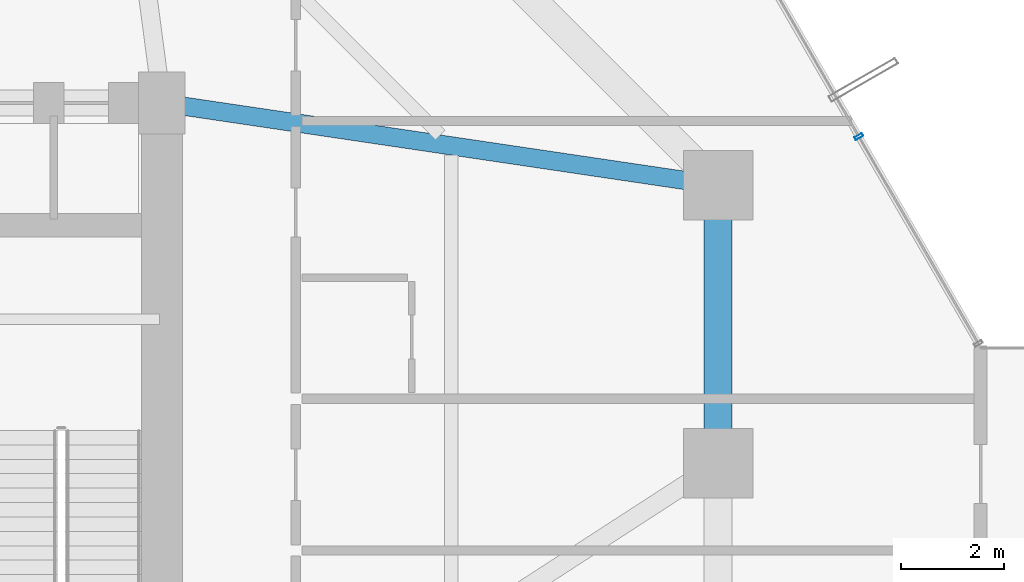
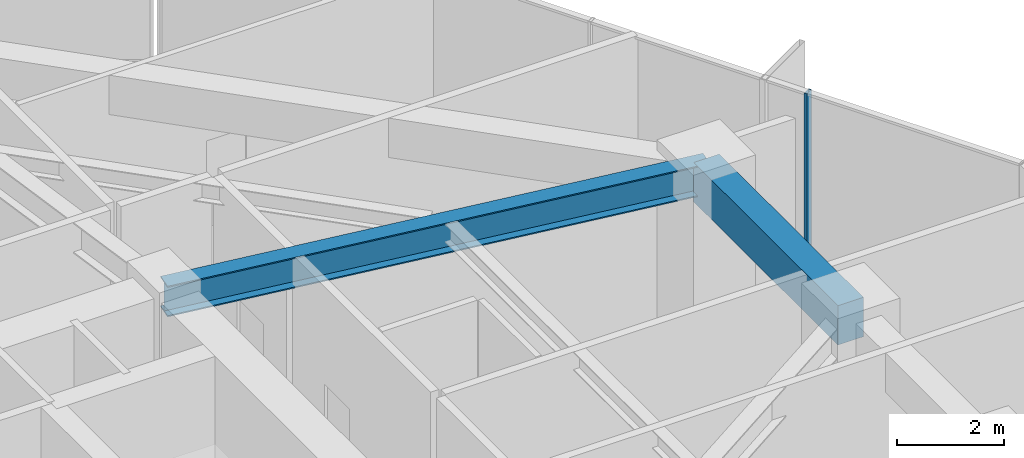
# One storey, part 20 of 39: 2 beams, 1 member, 1 element without a shape of its own.
"""IFC4 building model written with IfcOpenShell, lengths in metres."""

from ifc_helpers import new_model, si_unit, direction, frame, origin, origin_2d, place, context, subcontext, project, spatial, rectangle, hollow_rectangle, i_section, extrude, source, transform, mapped, material, layer, layer_set, material_profile, profile_set, type_object, element, aggregate, save


model = new_model("IFC4")

# Units and contexts
model_context = context("Model", 3, precision=1e-05, world=origin(), true_north=direction((0.0, 1.0)))
body_context = subcontext(model_context, "Body", "Model", "MODEL_VIEW")
ifc_project = project(units=[si_unit("LENGTHUNIT", "METRE"), si_unit("AREAUNIT", "SQUARE_METRE"), si_unit("VOLUMEUNIT", "CUBIC_METRE"), si_unit("PLANEANGLEUNIT", "RADIAN"), si_unit("MASSUNIT", "GRAM", prefix="KILO")], contexts=[model_context])

# Site, building, storey
site_placement = place(None, origin())
site = spatial("IfcSite", under=ifc_project, at=site_placement, CompositionType="ELEMENT")
building_placement = place(site_placement, origin())
building = spatial("IfcBuilding", under=site, at=building_placement, Name="Veraguas Prism Commons", CompositionType="ELEMENT")
storey_placement = place(building_placement, frame((0.0, 0.0, 22.800048828125)))
storey = spatial("IfcBuildingStorey", under=building, at=storey_placement, Name="L05", CompositionType="ELEMENT", Elevation=22.800048828125)

# Beams
ifc_material_1 = material(Name="Concrete C50/60", Category="concrete")
ifc_material_profile_1 = material_profile(ifc_material_1, rectangle(XDim=0.550048828125, YDim=0.89990234375, at=origin_2d()), Name="RC550X900")
ifc_profile_set_1 = profile_set([ifc_material_profile_1], Name="Concrete C50/60")
beam_type_1 = type_object("IfcBeamType", Name="Perimeter Spandrel Lower RC 550x900", PredefinedType="SPANDREL", material=ifc_profile_set_1)
beam_1_placement = place(storey_placement, frame((41.60009765625, 24.0, 3.800048828125), z_axis=(0.0, 1.0, 0.0), x_axis=(-1.0, 0.0, 0.0)))
element("IfcBeam", 1, at=beam_1_placement, inside=storey, type_object=beam_type_1, Name="Perimeter Spandrel Beam L05-SP02", PredefinedType="SPANDREL", context=body_context, shape_type="SweptSolid", body=[
    extrude(rectangle(XDim=0.550048828125, YDim=0.89990234375, at=origin_2d()), origin(), (0.0, 0.0, 1.0), 5.39990234375),
])
ifc_material_2 = material(Name="Steel ASTM A992 Grade 50", Category="steel")
ifc_material_profile_2 = material_profile(ifc_material_2, i_section(OverallWidth=0.35595703125, OverallDepth=0.700927734375, WebThickness=0.016845703125, FlangeThickness=0.02734375, at=origin_2d()), Name="W690X240")
ifc_profile_set_2 = profile_set([ifc_material_profile_2], Name="Steel ASTM A992 Grade 50")
beam_type_2 = type_object("IfcBeamType", Name="Zone 1 Radial Girder W690x240", PredefinedType="BEAM", material=ifc_profile_set_2)
beam_2_placement = place(storey_placement, frame((41.60009765625, 29.39990234375, 3.8994140625), z_axis=(-0.989202261707, 0.146556765224, 0.0), x_axis=(-0.146556765224, -0.989202261707, 0.0)))
element("IfcBeam", 2, at=beam_2_placement, inside=storey, type_object=beam_type_2, Name="Radial Floor Girder L05-RD03", PredefinedType="BEAM", context=body_context, shape_type="SweptSolid", body=[
    extrude(i_section(OverallWidth=0.35595703125, OverallDepth=0.700927734375, WebThickness=0.016845703125, FlangeThickness=0.02734375, at=origin_2d()), origin(), (0.0, 0.0, 1.0), 10.91796875),
])

# Curtain wall, member
ifc_material_3 = material(Name="Anodised aluminium EN AW-6063 T6", Category="aluminium")
ifc_layer = layer(ifc_material_3, 0.169921875, Name="Unitised Flush Curtain Wall Zone 1", Category="aluminium")
ifc_layer_set = layer_set([ifc_layer], Name="Anodised aluminium EN AW-6063 T6")
curtain_wall_type = type_object("IfcCurtainWallType", Name="Unitised Flush Curtain Wall Zone 1", PredefinedType="NOTDEFINED", material=ifc_layer_set)
curtain_wall_placement = place(storey_placement, origin())
curtain_wall = element("IfcCurtainWall", 3, at=curtain_wall_placement, inside=storey, type_object=curtain_wall_type, Name="Tower Facade Curtain Wall L05-F1", PredefinedType="NOTDEFINED")
ifc_material_profile_3 = material_profile(ifc_material_3, hollow_rectangle(XDim=0.06005859375, YDim=0.169921875, WallThickness=0.00390625, at=origin_2d()), Name="AL60X170X4")
ifc_profile_set_3 = profile_set([ifc_material_profile_3], Name="Anodised aluminium EN AW-6063 T6")
member_type = type_object("IfcMemberType", Name="Curtain Wall Mullion Lower AL 60x170x4", PredefinedType="MULLION", material=ifc_profile_set_3)
shared_shape = source(origin(), body_context, "Body", "SweptSolid", [
    extrude(hollow_rectangle(XDim=0.06005859375, YDim=0.169921875, WallThickness=0.00390625, at=origin_2d()), origin(), (0.0, 0.0, 1.0), 4.25),
])
member_placement = place(storey_placement, frame((44.33544921875, 30.34716796875, 0.0), z_axis=(0.0, 0.0, 1.0), x_axis=(-0.500004534492, 0.866022785779, 0.0)))
member = element("IfcMember", 4, at=member_placement, type_object=member_type, Name="CW-Z1 Mullion 2", PredefinedType="MULLION", context=body_context, shape_type="MappedRepresentation", body=[
    mapped(shared_shape, transform((0.0, 0.0, 0.0), scale=1.0)),
])
aggregate(curtain_wall, [member])

save(model, "model.ifc")
